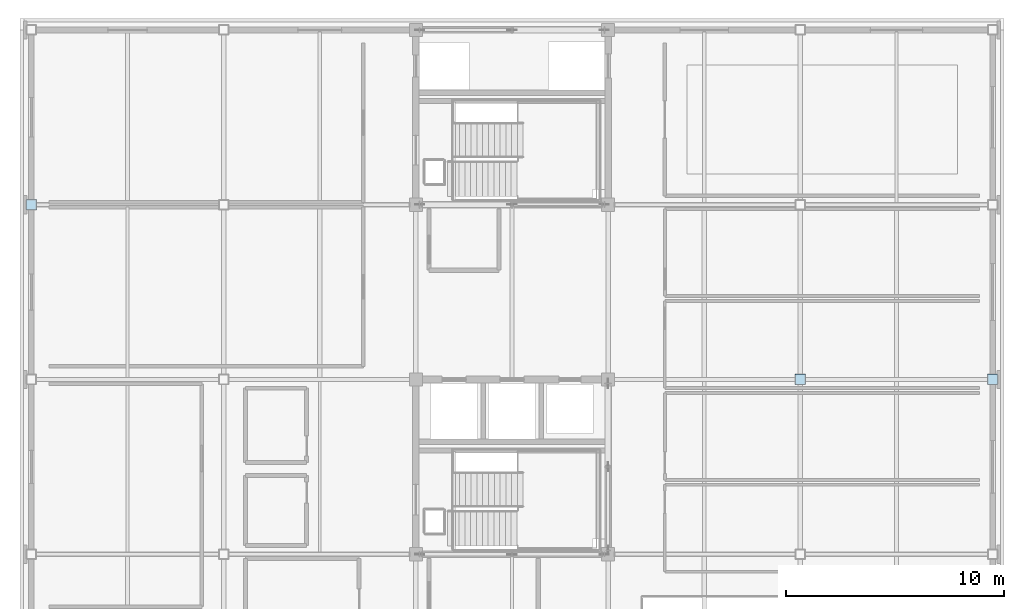
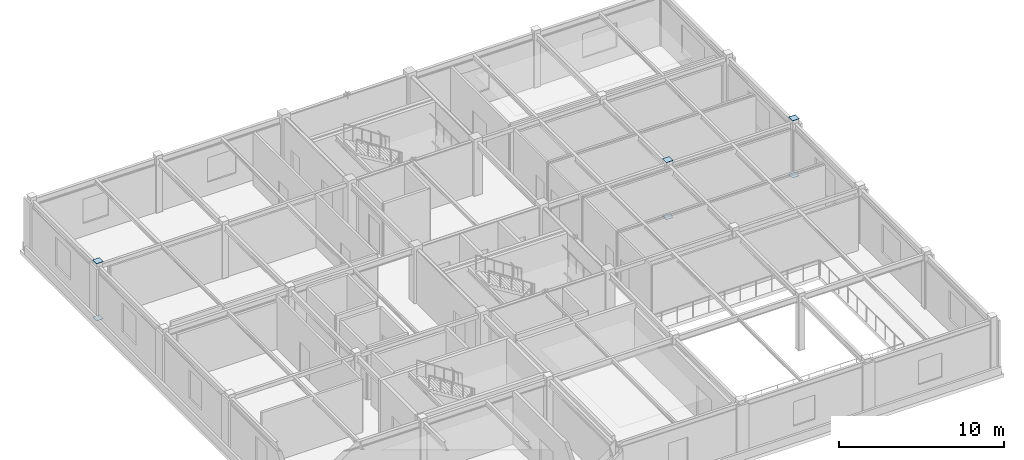
# One storey, part 8 of 18: 7 plates.
"""IFC4 building model written with IfcOpenShell, lengths in metres."""

from ifc_helpers import new_model, si_unit, direction, frame, origin, origin_2d, place, context, subcontext, project, spatial, rectangle, extrude, material, layer, layer_set, type_object, element, save


model = new_model("IFC4")

# Units and contexts
model_context = context("Model", 3, precision=1e-05, world=origin(), true_north=direction((0.0, 1.0)))
body_context = subcontext(model_context, "Body", "Model", "MODEL_VIEW")
ifc_project = project(units=[si_unit("LENGTHUNIT", "METRE"), si_unit("AREAUNIT", "SQUARE_METRE"), si_unit("VOLUMEUNIT", "CUBIC_METRE"), si_unit("PLANEANGLEUNIT", "RADIAN"), si_unit("MASSUNIT", "GRAM", prefix="KILO")], contexts=[model_context])

# Site, building, storey
site_placement = place(None, origin())
site = spatial("IfcSite", under=ifc_project, at=site_placement, CompositionType="ELEMENT")
building_placement = place(site_placement, origin())
building = spatial("IfcBuilding", under=site, at=building_placement, Name="Zhaolan Boulevard Law Courts", CompositionType="ELEMENT")
storey_placement = place(building_placement, frame((0.0, 0.0, 33.0)))
storey = spatial("IfcBuildingStorey", under=building, at=storey_placement, Name="L07", CompositionType="ELEMENT", Elevation=33.0)

# Plates
ifc_material = material(Name="Structural steel Q355B", Category="steel")
ifc_layer = layer(ifc_material, 0.02001953125)
ifc_layer_set = layer_set([ifc_layer])
plate_type = type_object("IfcPlateType", Name="END CAP PLATE 20", PredefinedType="SHEET", material=ifc_layer_set)
plate_placement = place(storey_placement, frame((44.0, 54.0, 4.179931640625), z_axis=(0.0, 0.0, 1.0), x_axis=(1.0, 0.0, 0.0)))
element("IfcPlate", 1, at=plate_placement, inside=storey, type_object=plate_type, Name="Hollow Column Top End-Cap Plate ECP-6H", PredefinedType="SHEET", context=body_context, shape_type="SweptSolid", body=[
    extrude(rectangle(XDim=0.449951171875, YDim=0.449951171875, at=origin_2d()), origin(), (0.0, 0.0, 1.0), 0.02001953125),
])
for number, where, z_axis, x_axis, name in (
    (2, (0.0, 62.0, -0.01806640625), (0.0, 0.0, 1.0), (1.0, 0.0, 0.0), "Hollow Section End-Cap Plate ECP-0103"),
    (3, (0.0, 62.0, 4.197998046875), (0.0, 0.0, 1.0), (1.0, 0.0, 0.0), "Hollow Section End-Cap Plate ECP-0104"),
    (4, (35.199951171875, 54.0, -0.01806640625), (0.0, 0.0, 1.0), (1.0, 0.0, 0.0), "Hollow Section End-Cap Plate ECP-0437"),
    (5, (35.199951171875, 54.0, 4.197998046875), (0.0, 0.0, 1.0), (1.0, 0.0, 0.0), "Hollow Section End-Cap Plate ECP-0438"),
    (6, (44.0, 54.0, -0.01806640625), (0.0, 0.0, 1.0), (1.0, 0.0, 0.0), "Hollow Section End-Cap Plate ECP-0557"),
    (7, (44.0, 54.0, 4.197998046875), (0.0, 0.0, 1.0), (1.0, 0.0, 0.0), "Hollow Section End-Cap Plate ECP-0558"),
):
    element("IfcPlate", number, at=place(storey_placement, frame(where, z_axis=z_axis, x_axis=x_axis)), inside=storey, type_object=plate_type, Name=name, PredefinedType="SHEET", context=body_context, shape_type="SweptSolid", body=[
        extrude(rectangle(XDim=0.47998046875, YDim=0.47998046875, at=origin_2d()), origin(), (0.0, 0.0, 1.0), 0.02001953125),
    ])

save(model, "model.ifc")
